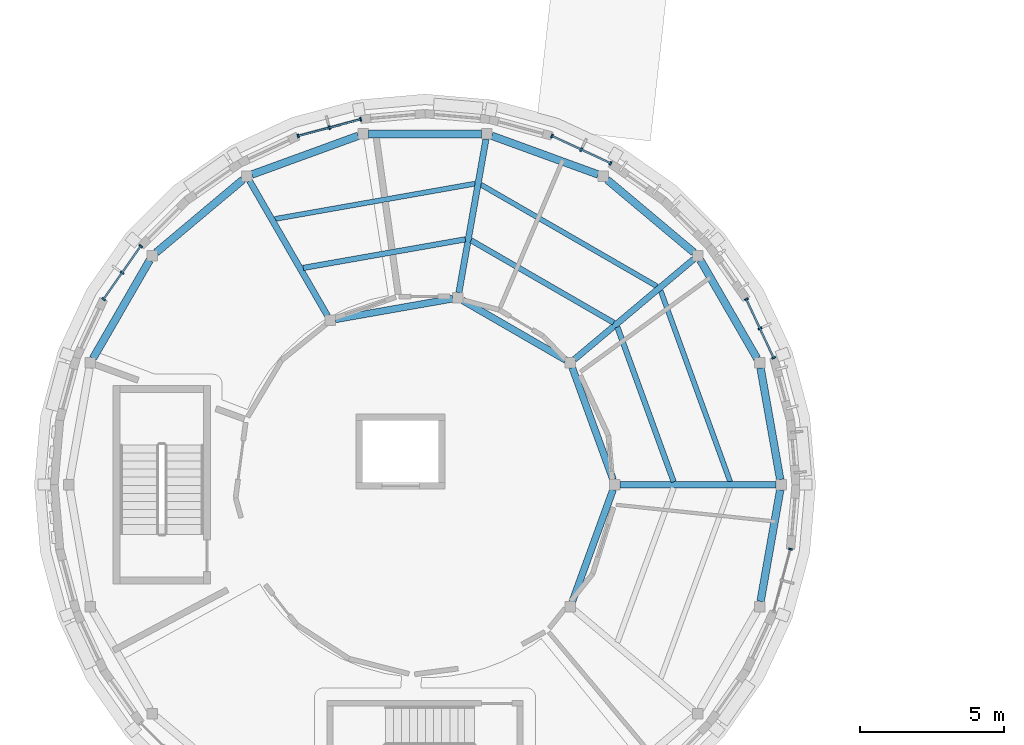
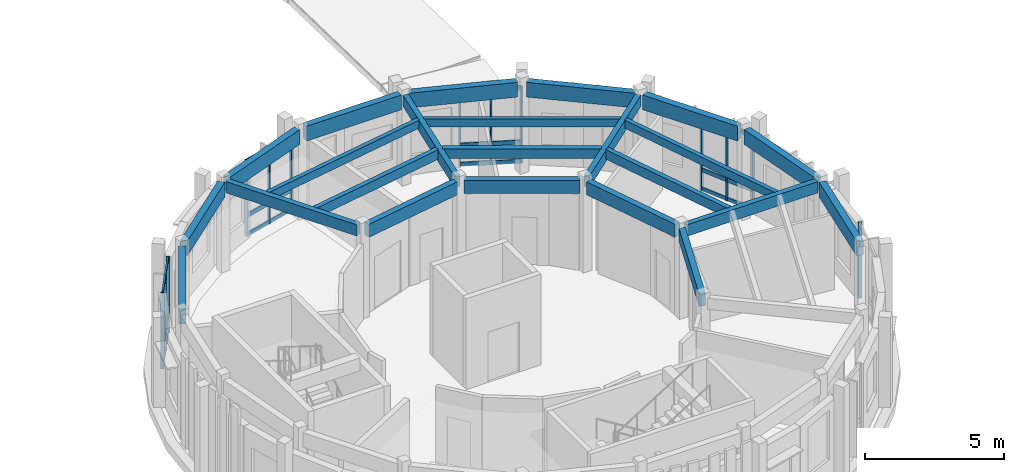
# One storey, part 8 of 58: 25 members, 23 beams, 5 elements without a shape of their own.
"""IFC4 building model written with IfcOpenShell, lengths in metres."""

from ifc_helpers import new_model, si_unit, direction, frame, origin, origin_2d, place, context, subcontext, project, spatial, rectangle, extrude, material, layer, layer_set, material_profile, profile_set, type_object, element, aggregate, save


model = new_model("IFC4")

# Units and contexts
model_context = context("Model", 3, precision=1e-05, world=origin(), true_north=direction((0.0, 1.0)))
body_context = subcontext(model_context, "Body", "Model", "MODEL_VIEW")
ifc_project = project(units=[si_unit("LENGTHUNIT", "METRE"), si_unit("AREAUNIT", "SQUARE_METRE"), si_unit("VOLUMEUNIT", "CUBIC_METRE"), si_unit("PLANEANGLEUNIT", "RADIAN"), si_unit("MASSUNIT", "GRAM", prefix="KILO")], contexts=[model_context])

# Site, building, storey
site_placement = place(None, origin())
site = spatial("IfcSite", under=ifc_project, at=site_placement, CompositionType="ELEMENT")
building_placement = place(site_placement, origin())
building = spatial("IfcBuilding", under=site, at=building_placement, Name="Aldenvaro Health Centre", CompositionType="ELEMENT")
storey_placement = place(building_placement, frame((0.0, 0.0, 8.75)))
storey = spatial("IfcBuildingStorey", under=building, at=storey_placement, Name="L02", CompositionType="ELEMENT", Elevation=8.75)

# Beams
ifc_material_1 = material(Name="Glulam GL28h", Category="wood")
ifc_material_profile_1 = material_profile(ifc_material_1, rectangle(XDim=0.175048828125, YDim=0.35009765625, at=origin_2d()), Name="GL 175x350", Category="wood")
ifc_profile_set_1 = profile_set([ifc_material_profile_1], Name="Glulam GL28h")
beam_type_1 = type_object("IfcBeamType", Name="BM-GL-350", PredefinedType="JOIST", material=ifc_profile_set_1)
beam_1_placement = place(storey_placement, frame((29.10888671875, 18.60107421875, 3.800048828125), z_axis=(-0.342009334008, 0.939696554985, 0.0), x_axis=(-0.939696554985, -0.342009334008, 0.0)))
element("IfcBeam", 1, at=beam_1_placement, inside=storey, type_object=beam_type_1, Name="D5 L02 secondary joist 01.2", PredefinedType="JOIST", context=body_context, shape_type="SweptSolid", body=[
    extrude(rectangle(XDim=0.175048828125, YDim=0.35009765625, at=origin_2d()), origin(), (0.0, 0.0, 1.0), 7.067138671875),
])
beam_2_placement = place(storey_placement, frame((26.56298828125, 25.39697265625, 3.800048828125), z_axis=(-0.866030278967, 0.499991555841, 0.0), x_axis=(-0.499991555841, -0.866030278967, 0.0)))
element("IfcBeam", 2, at=beam_2_placement, inside=storey, type_object=beam_type_1, Name="D5 L02 secondary joist 02.2", PredefinedType="JOIST", context=body_context, shape_type="SweptSolid", body=[
    extrude(rectangle(XDim=0.175048828125, YDim=0.35009765625, at=origin_2d()), origin(), (0.0, 0.0, 1.0), 7.06787109375),
])
beam_3_placement = place(storey_placement, frame((20.242919921875, 28.966064453125, 3.800048828125), z_axis=(-0.984788427089, -0.173757744782, 0.0), x_axis=(0.173757744782, -0.984788427089, 0.0)))
element("IfcBeam", 3, at=beam_3_placement, inside=storey, type_object=beam_type_1, Name="D5 L02 secondary joist 03.2", PredefinedType="JOIST", context=body_context, shape_type="SweptSolid", body=[
    extrude(rectangle(XDim=0.175048828125, YDim=0.35009765625, at=origin_2d()), origin(), (0.0, 0.0, 1.0), 7.0673828125),
])
ifc_material_profile_2 = material_profile(ifc_material_1, rectangle(XDim=0.18994140625, YDim=0.41796875, at=origin_2d()), Name="GL 190x418", Category="wood")
ifc_profile_set_2 = profile_set([ifc_material_profile_2], Name="Glulam GL28h")
beam_type_2 = type_object("IfcBeamType", Name="BM-GL-418", PredefinedType="JOIST", material=ifc_profile_set_2)
beam_4_placement = place(storey_placement, frame((27.14404296875, 18.60107421875, 3.76611328125), z_axis=(-0.341962269954, 0.939713682952, 0.0), x_axis=(-0.939713682952, -0.341962269954, 0.0)))
element("IfcBeam", 4, at=beam_4_placement, inside=storey, type_object=beam_type_2, Name="D5 L02 secondary joist 01.1", PredefinedType="JOIST", context=body_context, shape_type="SweptSolid", body=[
    extrude(rectangle(XDim=0.18994140625, YDim=0.41796875, at=origin_2d()), origin(), (0.0, 0.0, 1.0), 5.722900390625),
])
beam_5_placement = place(storey_placement, frame((25.056884765625, 24.134033203125, 3.76611328125), z_axis=(-0.866037099742, 0.499979741459, 0.0), x_axis=(-0.499979741459, -0.866037099742, 0.0)))
element("IfcBeam", 5, at=beam_5_placement, inside=storey, type_object=beam_type_2, Name="D5 L02 secondary joist 02.1", PredefinedType="JOIST", context=body_context, shape_type="SweptSolid", body=[
    extrude(rectangle(XDim=0.18994140625, YDim=0.41796875, at=origin_2d()), origin(), (0.0, 0.0, 1.0), 5.722412109375),
])
beam_6_placement = place(storey_placement, frame((19.902099609375, 27.030029296875, 3.76611328125), z_axis=(-0.984803303426, -0.173673410634, 0.0), x_axis=(0.173673410634, -0.984803303426, 0.0)))
element("IfcBeam", 6, at=beam_6_placement, inside=storey, type_object=beam_type_2, Name="D5 L02 secondary joist 03.1", PredefinedType="JOIST", context=body_context, shape_type="SweptSolid", body=[
    extrude(rectangle(XDim=0.18994140625, YDim=0.41796875, at=origin_2d()), origin(), (0.0, 0.0, 1.0), 5.72412109375),
])
ifc_material_profile_3 = material_profile(ifc_material_1, rectangle(XDim=0.215087890625, YDim=0.493896484375, at=origin_2d()), Name="GL 215x494", Category="wood")
ifc_profile_set_3 = profile_set([ifc_material_profile_3], Name="Glulam GL28h")
beam_type_3 = type_object("IfcBeamType", Name="BM-GL-494", PredefinedType="BEAM", material=ifc_profile_set_3)
beam_7_placement = place(storey_placement, frame((25.282958984375, 18.5, 3.72802734375), z_axis=(1.0, 0.0, 0.0), x_axis=(0.0, 1.0, 0.0)))
element("IfcBeam", 7, at=beam_7_placement, inside=storey, type_object=beam_type_3, Name="D5 L02 radial beam 01", PredefinedType="BEAM", context=body_context, shape_type="SweptSolid", body=[
    extrude(rectangle(XDim=0.215087890625, YDim=0.493896484375, at=origin_2d()), origin(), (0.0, 0.0, 1.0), 5.4140625),
])
beam_8_placement = place(storey_placement, frame((23.696044921875, 22.85888671875, 3.72802734375), z_axis=(0.765895762224, 0.64296475907, 0.0), x_axis=(-0.64296475907, 0.765895762224, 0.0)))
element("IfcBeam", 8, at=beam_8_placement, inside=storey, type_object=beam_type_3, Name="D5 L02 radial beam 02", PredefinedType="BEAM", context=body_context, shape_type="SweptSolid", body=[
    extrude(rectangle(XDim=0.215087890625, YDim=0.493896484375, at=origin_2d()), origin(), (0.0, 0.0, 1.0), 5.415771484375),
])
beam_9_placement = place(storey_placement, frame((19.677978515625, 25.179931640625, 3.72802734375), z_axis=(0.173605264531, 0.984815318792, 0.0), x_axis=(-0.984815318792, 0.173605264531, 0.0)))
element("IfcBeam", 9, at=beam_9_placement, inside=storey, type_object=beam_type_3, Name="D5 L02 radial beam 03", PredefinedType="BEAM", context=body_context, shape_type="SweptSolid", body=[
    extrude(rectangle(XDim=0.215087890625, YDim=0.493896484375, at=origin_2d()), origin(), (0.0, 0.0, 1.0), 5.414306640625),
])
beam_10_placement = place(storey_placement, frame((15.10888671875, 24.3740234375, 3.72802734375), z_axis=(-0.500115332634, 0.865958806217, 0.0), x_axis=(-0.865958806217, -0.500115332634, 0.0)))
element("IfcBeam", 10, at=beam_10_placement, inside=storey, type_object=beam_type_3, Name="D5 L02 radial beam 04", PredefinedType="BEAM", context=body_context, shape_type="SweptSolid", body=[
    extrude(rectangle(XDim=0.215087890625, YDim=0.493896484375, at=origin_2d()), origin(), (0.0, 0.0, 1.0), 5.414794921875),
])
ifc_material_profile_4 = material_profile(ifc_material_1, rectangle(XDim=0.239990234375, YDim=0.570068359375, at=origin_2d()), Name="GL 240x570", Category="wood")
ifc_profile_set_4 = profile_set([ifc_material_profile_4], Name="Glulam GL28h")
beam_type_4 = type_object("IfcBeamType", Name="BM-GL-570", PredefinedType="BEAM", material=ifc_profile_set_4)
beam_11_placement = place(storey_placement, frame((25.0380859375, 18.6708984375, 3.68994140625), z_axis=(-0.342153909301, 0.93964392317, 0.0), x_axis=(-0.93964392317, -0.342153909301, 0.0)))
element("IfcBeam", 11, at=beam_11_placement, inside=storey, type_object=beam_type_4, Name="D5 L02 inner ring beam 01", PredefinedType="BEAM", context=body_context, shape_type="SweptSolid", body=[
    extrude(rectangle(XDim=0.239990234375, YDim=0.570068359375, at=origin_2d()), origin(), (0.0, 0.0, 1.0), 4.150634765625),
])
beam_12_placement = place(storey_placement, frame((23.39794921875, 22.8330078125, 3.68994140625), z_axis=(-0.865927917987, 0.500168812353, 0.0), x_axis=(-0.500168812353, -0.865927917987, 0.0)))
element("IfcBeam", 12, at=beam_12_placement, inside=storey, type_object=beam_type_4, Name="D5 L02 inner ring beam 02", PredefinedType="BEAM", context=body_context, shape_type="SweptSolid", body=[
    extrude(rectangle(XDim=0.239990234375, YDim=0.570068359375, at=origin_2d()), origin(), (0.0, 0.0, 1.0), 4.150390625),
])
beam_13_placement = place(storey_placement, frame((19.466064453125, 24.968017578125, 3.68994140625), z_axis=(-0.98482972839, -0.173523502959, 0.0), x_axis=(0.173523502959, -0.98482972839, 0.0)))
element("IfcBeam", 13, at=beam_13_placement, inside=storey, type_object=beam_type_4, Name="D5 L02 inner ring beam 03", PredefinedType="BEAM", context=body_context, shape_type="SweptSolid", body=[
    extrude(rectangle(XDim=0.239990234375, YDim=0.570068359375, at=origin_2d()), origin(), (0.0, 0.0, 1.0), 4.149169921875),
])
beam_14_placement = place(storey_placement, frame((23.617919921875, 14.428955078125, 3.68994140625), z_axis=(0.342153909301, 0.93964392317, 0.0), x_axis=(-0.93964392317, 0.342153909301, 0.0)))
element("IfcBeam", 14, at=beam_14_placement, inside=storey, type_object=beam_type_4, Name="D5 L02 inner ring beam 05", PredefinedType="BEAM", context=body_context, shape_type="SweptSolid", body=[
    extrude(rectangle(XDim=0.239990234375, YDim=0.570068359375, at=origin_2d()), origin(), (0.0, 0.0, 1.0), 4.150634765625),
])
ifc_material_profile_5 = material_profile(ifc_material_1, rectangle(XDim=0.264892578125, YDim=0.64599609375, at=origin_2d()), Name="GL 265x646", Category="wood")
ifc_profile_set_5 = profile_set([ifc_material_profile_5], Name="Glulam GL28h")
beam_type_5 = type_object("IfcBeamType", Name="BM-GL-646", PredefinedType="SPANDREL", material=ifc_profile_set_5)
beam_15_placement = place(storey_placement, frame((30.847900390625, 18.679931640625, 3.652099609375), z_axis=(-0.173590602204, 0.984817903384, 0.0), x_axis=(-0.984817903384, -0.173590602204, 0.0)))
element("IfcBeam", 15, at=beam_15_placement, inside=storey, type_object=beam_type_5, Name="D5 L02 perimeter spandrel 01", PredefinedType="SPANDREL", context=body_context, shape_type="SweptSolid", body=[
    extrude(rectangle(XDim=0.264892578125, YDim=0.64599609375, at=origin_2d()), origin(), (0.0, 0.0, 1.0), 3.933837890625),
])
beam_16_placement = place(storey_placement, frame((30.0419921875, 22.89208984375, 3.652099609375), z_axis=(-0.499896114199, 0.866085373973, 0.0), x_axis=(-0.866085373973, -0.499896114199, 0.0)))
element("IfcBeam", 16, at=beam_16_placement, inside=storey, type_object=beam_type_5, Name="D5 L02 perimeter spandrel 02", PredefinedType="SPANDREL", context=body_context, shape_type="SweptSolid", body=[
    extrude(rectangle(XDim=0.264892578125, YDim=0.64599609375, at=origin_2d()), origin(), (0.0, 0.0, 1.0), 3.934814453125),
])
beam_17_placement = place(storey_placement, frame((27.843994140625, 26.574951171875, 3.652099609375), z_axis=(-0.766034816661, 0.642799081878, 0.0), x_axis=(-0.642799081878, -0.766034816661, 0.0)))
element("IfcBeam", 17, at=beam_17_placement, inside=storey, type_object=beam_type_5, Name="D5 L02 perimeter spandrel 03", PredefinedType="SPANDREL", context=body_context, shape_type="SweptSolid", body=[
    extrude(rectangle(XDim=0.264892578125, YDim=0.64599609375, at=origin_2d()), origin(), (0.0, 0.0, 1.0), 3.934326171875),
])
beam_18_placement = place(storey_placement, frame((24.51904296875, 29.282958984375, 3.652099609375), z_axis=(-0.939613987037, 0.342236110549, 0.0), x_axis=(-0.342236110549, -0.939613987037, 0.0)))
element("IfcBeam", 18, at=beam_18_placement, inside=storey, type_object=beam_type_5, Name="D5 L02 perimeter spandrel 04", PredefinedType="SPANDREL", context=body_context, shape_type="SweptSolid", body=[
    extrude(rectangle(XDim=0.264892578125, YDim=0.64599609375, at=origin_2d()), origin(), (0.0, 0.0, 1.0), 3.935546875),
])
beam_19_placement = place(storey_placement, frame((20.467041015625, 30.69189453125, 3.652099609375), z_axis=(-1.0, 0.0, 0.0), x_axis=(0.0, -1.0, 0.0)))
element("IfcBeam", 19, at=beam_19_placement, inside=storey, type_object=beam_type_5, Name="D5 L02 perimeter spandrel 05", PredefinedType="SPANDREL", context=body_context, shape_type="SweptSolid", body=[
    extrude(rectangle(XDim=0.264892578125, YDim=0.64599609375, at=origin_2d()), origin(), (0.0, 0.0, 1.0), 3.93408203125),
])
beam_20_placement = place(storey_placement, frame((16.178955078125, 30.6298828125, 3.652099609375), z_axis=(-0.939613987037, -0.342236110549, 0.0), x_axis=(0.342236110549, -0.939613987037, 0.0)))
element("IfcBeam", 20, at=beam_20_placement, inside=storey, type_object=beam_type_5, Name="D5 L02 perimeter spandrel 06", PredefinedType="SPANDREL", context=body_context, shape_type="SweptSolid", body=[
    extrude(rectangle(XDim=0.264892578125, YDim=0.64599609375, at=origin_2d()), origin(), (0.0, 0.0, 1.0), 3.935546875),
])
beam_21_placement = place(storey_placement, frame((12.169921875, 29.10400390625, 3.652099609375), z_axis=(-0.766034816661, -0.642799081878, 0.0), x_axis=(0.642799081878, -0.766034816661, 0.0)))
element("IfcBeam", 21, at=beam_21_placement, inside=storey, type_object=beam_type_5, Name="D5 L02 perimeter spandrel 07", PredefinedType="SPANDREL", context=body_context, shape_type="SweptSolid", body=[
    extrude(rectangle(XDim=0.264892578125, YDim=0.64599609375, at=origin_2d()), origin(), (0.0, 0.0, 1.0), 3.934326171875),
])
beam_22_placement = place(storey_placement, frame((8.925048828125, 26.300048828125, 3.652099609375), z_axis=(-0.499896114199, -0.866085373973, 0.0), x_axis=(0.866085373973, -0.499896114199, 0.0)))
element("IfcBeam", 22, at=beam_22_placement, inside=storey, type_object=beam_type_5, Name="D5 L02 perimeter spandrel 08", PredefinedType="SPANDREL", context=body_context, shape_type="SweptSolid", body=[
    extrude(rectangle(XDim=0.264892578125, YDim=0.64599609375, at=origin_2d()), origin(), (0.0, 0.0, 1.0), 3.934814453125),
])
beam_23_placement = place(storey_placement, frame((30.1650390625, 14.446044921875, 3.652099609375), z_axis=(0.173590602204, 0.984817903384, 0.0), x_axis=(-0.984817903384, 0.173590602204, 0.0)))
element("IfcBeam", 23, at=beam_23_placement, inside=storey, type_object=beam_type_5, Name="D5 L02 perimeter spandrel 18", PredefinedType="SPANDREL", context=body_context, shape_type="SweptSolid", body=[
    extrude(rectangle(XDim=0.264892578125, YDim=0.64599609375, at=origin_2d()), origin(), (0.0, 0.0, 1.0), 3.933837890625),
])

# Curtain wall, member
ifc_material_2 = material(Name="Anodised Aluminium 6063-T6", Category="aluminium")
ifc_layer = layer(ifc_material_2, 0.195068359375, Name="Anodised Aluminium 6063-T6", Category="aluminium")
ifc_layer_set = layer_set([ifc_layer], Name="Anodised Aluminium 6063-T6")
curtain_wall_type = type_object("IfcCurtainWallType", Name="CW-CLN-02", PredefinedType="NOTDEFINED", material=ifc_layer_set)
curtain_wall_1_placement = place(storey_placement, origin())
curtain_wall_1 = element("IfcCurtainWall", 24, at=curtain_wall_1_placement, inside=storey, type_object=curtain_wall_type, Name="D5 L02 curtain wall bay 02", PredefinedType="NOTDEFINED")
ifc_material_profile_6 = material_profile(ifc_material_2, rectangle(XDim=0.06005859375, YDim=0.135009765625, at=origin_2d()), Name="ALU 60x135", Category="aluminium")
ifc_profile_set_6 = profile_set([ifc_material_profile_6], Name="Anodised Aluminium 6063-T6")
member_type_1 = type_object("IfcMemberType", Name="CWM-150", PredefinedType="MULLION", material=ifc_profile_set_6)
member_1_placement = place(storey_placement, frame((31.2041015625, 16.260009765625, 0.0), z_axis=(0.0, 0.0, 1.0), x_axis=(-0.258825000966, -0.9659242304, 0.0)))
member_1 = element("IfcMember", 25, at=member_1_placement, type_object=member_type_1, Name="D5 L02 curtain wall bay 02 mullion 1", PredefinedType="MULLION", context=body_context, shape_type="SweptSolid", body=[
    extrude(rectangle(XDim=0.06005859375, YDim=0.135009765625, at=origin_2d()), origin(), (0.0, 0.0, 1.0), 3.3291015625),
])
aggregate(curtain_wall_1, [member_1])

# Curtain wall, members
curtain_wall_2_placement = place(storey_placement, origin())
curtain_wall_2 = element("IfcCurtainWall", 26, at=curtain_wall_2_placement, inside=storey, type_object=curtain_wall_type, Name="D5 L02 curtain wall bay 22", PredefinedType="NOTDEFINED")
member_2_placement = place(storey_placement, frame((7.327880859375, 24.949951171875, 0.0), z_axis=(0.0, 0.0, 1.0), x_axis=(0.573641397746, 0.819106553991, 0.0)))
member_2 = element("IfcMember", 27, at=member_2_placement, type_object=member_type_1, Name="D5 L02 curtain wall bay 22 mullion 1", PredefinedType="MULLION", context=body_context, shape_type="SweptSolid", body=[
    extrude(rectangle(XDim=0.06005859375, YDim=0.135009765625, at=origin_2d()), origin(), (0.0, 0.0, 1.0), 3.3291015625),
])
member_3_placement = place(storey_placement, frame((7.972900390625, 25.87109375, 0.0), z_axis=(0.0, 0.0, 1.0), x_axis=(0.573641397746, 0.819106553991, 0.0)))
member_3 = element("IfcMember", 28, at=member_3_placement, type_object=member_type_1, Name="D5 L02 curtain wall bay 22 mullion 2", PredefinedType="MULLION", context=body_context, shape_type="SweptSolid", body=[
    extrude(rectangle(XDim=0.06005859375, YDim=0.135009765625, at=origin_2d()), origin(), (0.0, 0.0, 1.0), 3.3291015625),
])
member_4_placement = place(storey_placement, frame((8.617919921875, 26.7919921875, 0.0), z_axis=(0.0, 0.0, 1.0), x_axis=(0.573641397746, 0.819106553991, 0.0)))
member_4 = element("IfcMember", 29, at=member_4_placement, type_object=member_type_1, Name="D5 L02 curtain wall bay 22 mullion 3", PredefinedType="MULLION", context=body_context, shape_type="SweptSolid", body=[
    extrude(rectangle(XDim=0.06005859375, YDim=0.135009765625, at=origin_2d()), origin(), (0.0, 0.0, 1.0), 3.3291015625),
])

curtain_wall_3_placement = place(storey_placement, origin())
curtain_wall_3 = element("IfcCurtainWall", 30, at=curtain_wall_3_placement, inside=storey, type_object=curtain_wall_type, Name="D5 L02 curtain wall bay 26", PredefinedType="NOTDEFINED")
member_5_placement = place(storey_placement, frame((14.087890625, 30.6220703125, 0.0), z_axis=(0.0, 0.0, 1.0), x_axis=(0.9659242304, 0.258825000966, 0.0)))
member_5 = element("IfcMember", 31, at=member_5_placement, type_object=member_type_1, Name="D5 L02 curtain wall bay 26 mullion 1", PredefinedType="MULLION", context=body_context, shape_type="SweptSolid", body=[
    extrude(rectangle(XDim=0.06005859375, YDim=0.135009765625, at=origin_2d()), origin(), (0.0, 0.0, 1.0), 3.3291015625),
])
member_6_placement = place(storey_placement, frame((15.174072265625, 30.9130859375, 0.0), z_axis=(0.0, 0.0, 1.0), x_axis=(0.9659242304, 0.258825000966, 0.0)))
member_6 = element("IfcMember", 32, at=member_6_placement, type_object=member_type_1, Name="D5 L02 curtain wall bay 26 mullion 2", PredefinedType="MULLION", context=body_context, shape_type="SweptSolid", body=[
    extrude(rectangle(XDim=0.06005859375, YDim=0.135009765625, at=origin_2d()), origin(), (0.0, 0.0, 1.0), 3.3291015625),
])
member_7_placement = place(storey_placement, frame((16.260009765625, 31.2041015625, 0.0), z_axis=(0.0, 0.0, 1.0), x_axis=(0.9659242304, 0.258825000966, 0.0)))
member_7 = element("IfcMember", 33, at=member_7_placement, type_object=member_type_1, Name="D5 L02 curtain wall bay 26 mullion 3", PredefinedType="MULLION", context=body_context, shape_type="SweptSolid", body=[
    extrude(rectangle(XDim=0.06005859375, YDim=0.135009765625, at=origin_2d()), origin(), (0.0, 0.0, 1.0), 3.3291015625),
])

curtain_wall_4_placement = place(storey_placement, origin())
curtain_wall_4 = element("IfcCurtainWall", 34, at=curtain_wall_4_placement, inside=storey, type_object=curtain_wall_type, Name="D5 L02 curtain wall bay 30", PredefinedType="NOTDEFINED")
member_8_placement = place(storey_placement, frame((22.912109375, 30.6220703125, 0.0), z_axis=(0.0, 0.0, 1.0), x_axis=(0.906364844733, -0.422495879545, 0.0)))
member_8 = element("IfcMember", 35, at=member_8_placement, type_object=member_type_1, Name="D5 L02 curtain wall bay 30 mullion 1", PredefinedType="MULLION", context=body_context, shape_type="SweptSolid", body=[
    extrude(rectangle(XDim=0.06005859375, YDim=0.135009765625, at=origin_2d()), origin(), (0.0, 0.0, 1.0), 3.3291015625),
])
member_9_placement = place(storey_placement, frame((23.930908203125, 30.14697265625, 0.0), z_axis=(0.0, 0.0, 1.0), x_axis=(0.906364844733, -0.422495879545, 0.0)))
member_9 = element("IfcMember", 36, at=member_9_placement, type_object=member_type_1, Name="D5 L02 curtain wall bay 30 mullion 2", PredefinedType="MULLION", context=body_context, shape_type="SweptSolid", body=[
    extrude(rectangle(XDim=0.06005859375, YDim=0.135009765625, at=origin_2d()), origin(), (0.0, 0.0, 1.0), 3.3291015625),
])
member_10_placement = place(storey_placement, frame((24.949951171875, 29.672119140625, 0.0), z_axis=(0.0, 0.0, 1.0), x_axis=(0.906364844733, -0.422495879545, 0.0)))
member_10 = element("IfcMember", 37, at=member_10_placement, type_object=member_type_1, Name="D5 L02 curtain wall bay 30 mullion 3", PredefinedType="MULLION", context=body_context, shape_type="SweptSolid", body=[
    extrude(rectangle(XDim=0.06005859375, YDim=0.135009765625, at=origin_2d()), origin(), (0.0, 0.0, 1.0), 3.3291015625),
])

curtain_wall_5_placement = place(storey_placement, origin())
curtain_wall_5 = element("IfcCurtainWall", 38, at=curtain_wall_5_placement, inside=storey, type_object=curtain_wall_type, Name="D5 L02 curtain wall bay 34", PredefinedType="NOTDEFINED")
member_11_placement = place(storey_placement, frame((29.672119140625, 24.949951171875, 0.0), z_axis=(0.0, 0.0, 1.0), x_axis=(0.422495879545, -0.906364844733, 0.0)))
member_11 = element("IfcMember", 39, at=member_11_placement, type_object=member_type_1, Name="D5 L02 curtain wall bay 34 mullion 1", PredefinedType="MULLION", context=body_context, shape_type="SweptSolid", body=[
    extrude(rectangle(XDim=0.06005859375, YDim=0.135009765625, at=origin_2d()), origin(), (0.0, 0.0, 1.0), 3.3291015625),
])
member_12_placement = place(storey_placement, frame((30.14697265625, 23.930908203125, 0.0), z_axis=(0.0, 0.0, 1.0), x_axis=(0.422495879545, -0.906364844733, 0.0)))
member_12 = element("IfcMember", 40, at=member_12_placement, type_object=member_type_1, Name="D5 L02 curtain wall bay 34 mullion 2", PredefinedType="MULLION", context=body_context, shape_type="SweptSolid", body=[
    extrude(rectangle(XDim=0.06005859375, YDim=0.135009765625, at=origin_2d()), origin(), (0.0, 0.0, 1.0), 3.3291015625),
])
member_13_placement = place(storey_placement, frame((30.6220703125, 22.912109375, 0.0), z_axis=(0.0, 0.0, 1.0), x_axis=(0.422495879545, -0.906364844733, 0.0)))
member_13 = element("IfcMember", 41, at=member_13_placement, type_object=member_type_1, Name="D5 L02 curtain wall bay 34 mullion 3", PredefinedType="MULLION", context=body_context, shape_type="SweptSolid", body=[
    extrude(rectangle(XDim=0.06005859375, YDim=0.135009765625, at=origin_2d()), origin(), (0.0, 0.0, 1.0), 3.3291015625),
])

# Member
ifc_material_profile_7 = material_profile(ifc_material_2, rectangle(XDim=0.06494140625, YDim=0.179931640625, at=origin_2d()), Name="ALU 65x180", Category="aluminium")
ifc_profile_set_7 = profile_set([ifc_material_profile_7], Name="Anodised Aluminium 6063-T6")
member_type_2 = type_object("IfcMemberType", Name="CWT-150", PredefinedType="USERDEFINED", material=ifc_profile_set_7)
member_14_placement = place(storey_placement, frame((7.327880859375, 24.949951171875, 0.06005859375), z_axis=(0.573644482107, 0.819104393925, 0.0), x_axis=(-0.819104393925, 0.573644482107, 0.0)))
member_14 = element("IfcMember", 42, at=member_14_placement, type_object=member_type_2, Name="D5 L02 curtain wall bay 22 transom 1", ObjectType="TRANSOM", PredefinedType="USERDEFINED", context=body_context, shape_type="SweptSolid", body=[
    extrude(rectangle(XDim=0.06494140625, YDim=0.179931640625, at=origin_2d()), origin(), (0.0, 0.0, 1.0), 2.248779296875),
])

member_15_placement = place(storey_placement, frame((7.327880859375, 24.949951171875, 0.89990234375), z_axis=(0.573644482107, 0.819104393925, 0.0), x_axis=(-0.819104393925, 0.573644482107, 0.0)))
member_15 = element("IfcMember", 43, at=member_15_placement, type_object=member_type_2, Name="D5 L02 curtain wall bay 22 transom 2", ObjectType="TRANSOM", PredefinedType="USERDEFINED", context=body_context, shape_type="SweptSolid", body=[
    extrude(rectangle(XDim=0.06494140625, YDim=0.179931640625, at=origin_2d()), origin(), (0.0, 0.0, 1.0), 2.248779296875),
])

member_16_placement = place(storey_placement, frame((7.327880859375, 24.949951171875, 3.26904296875), z_axis=(0.573644482107, 0.819104393925, 0.0), x_axis=(-0.819104393925, 0.573644482107, 0.0)))
member_16 = element("IfcMember", 44, at=member_16_placement, type_object=member_type_2, Name="D5 L02 curtain wall bay 22 transom 3", ObjectType="TRANSOM", PredefinedType="USERDEFINED", context=body_context, shape_type="SweptSolid", body=[
    extrude(rectangle(XDim=0.06494140625, YDim=0.179931640625, at=origin_2d()), origin(), (0.0, 0.0, 1.0), 2.248779296875),
])

aggregate(curtain_wall_2, [member_2, member_3, member_4, member_14, member_15, member_16])

member_17_placement = place(storey_placement, frame((14.087890625, 30.6220703125, 0.06005859375), z_axis=(0.96592430538, 0.258824721145, 0.0), x_axis=(-0.258824721145, 0.96592430538, 0.0)))
member_17 = element("IfcMember", 45, at=member_17_placement, type_object=member_type_2, Name="D5 L02 curtain wall bay 26 transom 1", ObjectType="TRANSOM", PredefinedType="USERDEFINED", context=body_context, shape_type="SweptSolid", body=[
    extrude(rectangle(XDim=0.06494140625, YDim=0.179931640625, at=origin_2d()), origin(), (0.0, 0.0, 1.0), 2.248779296875),
])

member_18_placement = place(storey_placement, frame((14.087890625, 30.6220703125, 0.89990234375), z_axis=(0.96592430538, 0.258824721145, 0.0), x_axis=(-0.258824721145, 0.96592430538, 0.0)))
member_18 = element("IfcMember", 46, at=member_18_placement, type_object=member_type_2, Name="D5 L02 curtain wall bay 26 transom 2", ObjectType="TRANSOM", PredefinedType="USERDEFINED", context=body_context, shape_type="SweptSolid", body=[
    extrude(rectangle(XDim=0.06494140625, YDim=0.179931640625, at=origin_2d()), origin(), (0.0, 0.0, 1.0), 2.248779296875),
])

member_19_placement = place(storey_placement, frame((14.087890625, 30.6220703125, 3.26904296875), z_axis=(0.96592430538, 0.258824721145, 0.0), x_axis=(-0.258824721145, 0.96592430538, 0.0)))
member_19 = element("IfcMember", 47, at=member_19_placement, type_object=member_type_2, Name="D5 L02 curtain wall bay 26 transom 3", ObjectType="TRANSOM", PredefinedType="USERDEFINED", context=body_context, shape_type="SweptSolid", body=[
    extrude(rectangle(XDim=0.06494140625, YDim=0.179931640625, at=origin_2d()), origin(), (0.0, 0.0, 1.0), 2.248779296875),
])

aggregate(curtain_wall_3, [member_5, member_6, member_7, member_17, member_18, member_19])

member_20_placement = place(storey_placement, frame((22.912109375, 30.6220703125, 0.06005859375), z_axis=(0.906360600886, -0.422504983593, 0.0), x_axis=(0.422504983593, 0.906360600886, 0.0)))
member_20 = element("IfcMember", 48, at=member_20_placement, type_object=member_type_2, Name="D5 L02 curtain wall bay 30 transom 1", ObjectType="TRANSOM", PredefinedType="USERDEFINED", context=body_context, shape_type="SweptSolid", body=[
    extrude(rectangle(XDim=0.06494140625, YDim=0.179931640625, at=origin_2d()), origin(), (0.0, 0.0, 1.0), 2.248291015625),
])

member_21_placement = place(storey_placement, frame((22.912109375, 30.6220703125, 0.89990234375), z_axis=(0.906360600886, -0.422504983593, 0.0), x_axis=(0.422504983593, 0.906360600886, 0.0)))
member_21 = element("IfcMember", 49, at=member_21_placement, type_object=member_type_2, Name="D5 L02 curtain wall bay 30 transom 2", ObjectType="TRANSOM", PredefinedType="USERDEFINED", context=body_context, shape_type="SweptSolid", body=[
    extrude(rectangle(XDim=0.06494140625, YDim=0.179931640625, at=origin_2d()), origin(), (0.0, 0.0, 1.0), 2.248291015625),
])

member_22_placement = place(storey_placement, frame((22.912109375, 30.6220703125, 3.26904296875), z_axis=(0.906360600886, -0.422504983593, 0.0), x_axis=(0.422504983593, 0.906360600886, 0.0)))
member_22 = element("IfcMember", 50, at=member_22_placement, type_object=member_type_2, Name="D5 L02 curtain wall bay 30 transom 3", ObjectType="TRANSOM", PredefinedType="USERDEFINED", context=body_context, shape_type="SweptSolid", body=[
    extrude(rectangle(XDim=0.06494140625, YDim=0.179931640625, at=origin_2d()), origin(), (0.0, 0.0, 1.0), 2.248291015625),
])

aggregate(curtain_wall_4, [member_8, member_9, member_10, member_20, member_21, member_22])

member_23_placement = place(storey_placement, frame((29.672119140625, 24.949951171875, 0.06005859375), z_axis=(0.422504983593, -0.906360600886, 0.0), x_axis=(0.906360600886, 0.422504983593, 0.0)))
member_23 = element("IfcMember", 51, at=member_23_placement, type_object=member_type_2, Name="D5 L02 curtain wall bay 34 transom 1", ObjectType="TRANSOM", PredefinedType="USERDEFINED", context=body_context, shape_type="SweptSolid", body=[
    extrude(rectangle(XDim=0.06494140625, YDim=0.179931640625, at=origin_2d()), origin(), (0.0, 0.0, 1.0), 2.248291015625),
])

member_24_placement = place(storey_placement, frame((29.672119140625, 24.949951171875, 0.89990234375), z_axis=(0.422504983593, -0.906360600886, 0.0), x_axis=(0.906360600886, 0.422504983593, 0.0)))
member_24 = element("IfcMember", 52, at=member_24_placement, type_object=member_type_2, Name="D5 L02 curtain wall bay 34 transom 2", ObjectType="TRANSOM", PredefinedType="USERDEFINED", context=body_context, shape_type="SweptSolid", body=[
    extrude(rectangle(XDim=0.06494140625, YDim=0.179931640625, at=origin_2d()), origin(), (0.0, 0.0, 1.0), 2.248291015625),
])

member_25_placement = place(storey_placement, frame((29.672119140625, 24.949951171875, 3.26904296875), z_axis=(0.422504983593, -0.906360600886, 0.0), x_axis=(0.906360600886, 0.422504983593, 0.0)))
member_25 = element("IfcMember", 53, at=member_25_placement, type_object=member_type_2, Name="D5 L02 curtain wall bay 34 transom 3", ObjectType="TRANSOM", PredefinedType="USERDEFINED", context=body_context, shape_type="SweptSolid", body=[
    extrude(rectangle(XDim=0.06494140625, YDim=0.179931640625, at=origin_2d()), origin(), (0.0, 0.0, 1.0), 2.248291015625),
])

aggregate(curtain_wall_5, [member_11, member_12, member_13, member_23, member_24, member_25])

save(model, "model.ifc")
